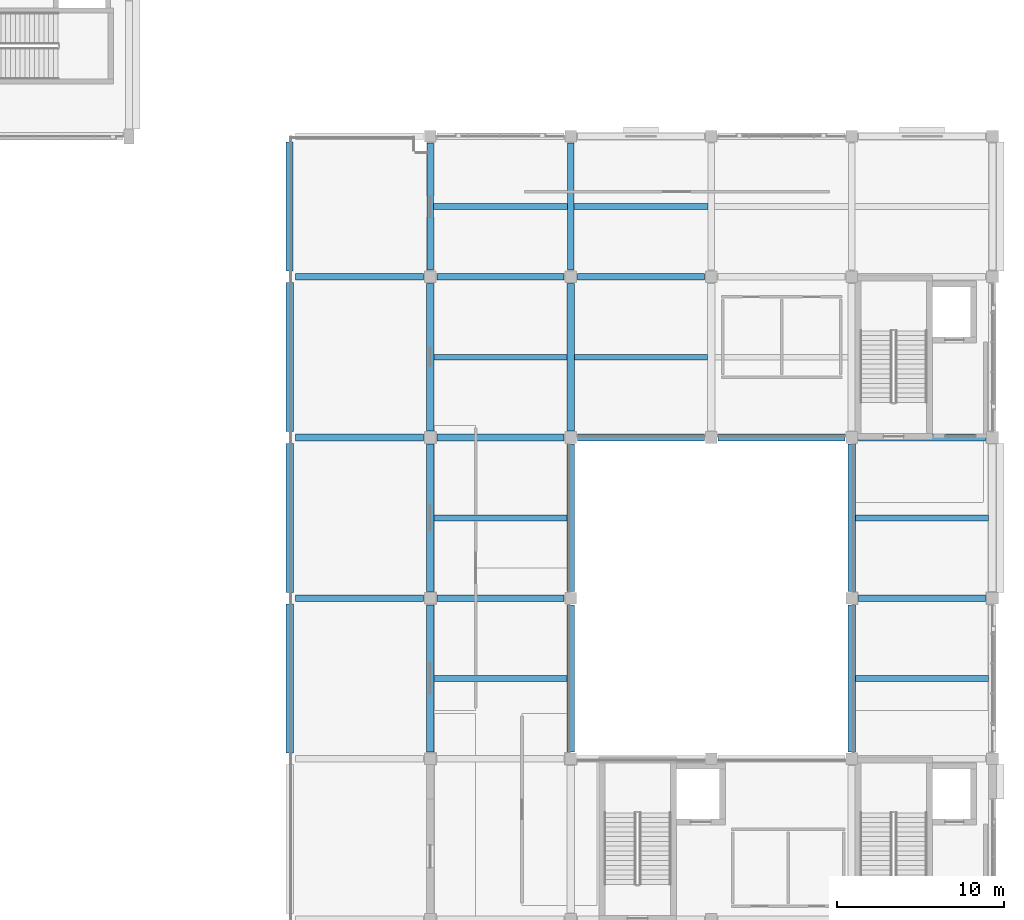
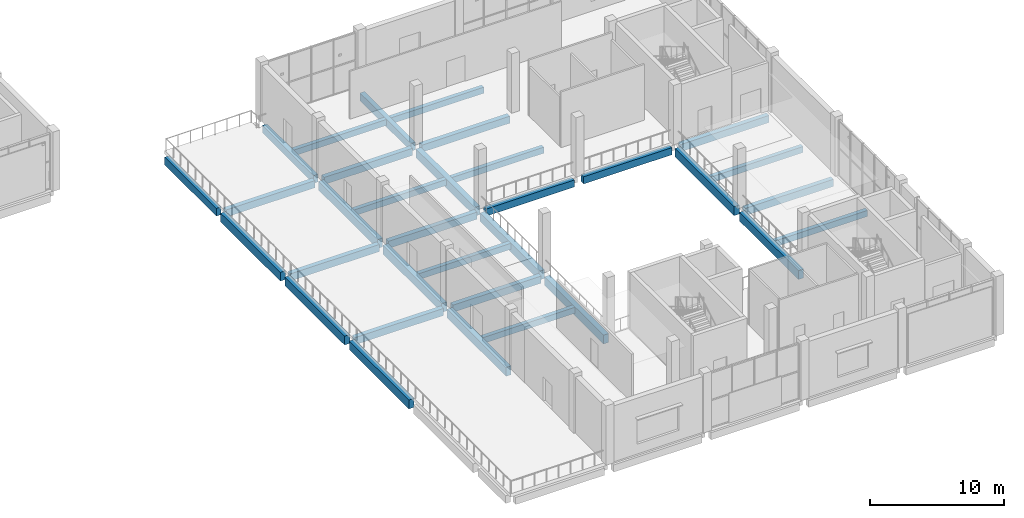
# One storey, part 38 of 83: 33 beams.
"""IFC4 building model written with IfcOpenShell, lengths in metres."""

from ifc_helpers import new_model, si_unit, direction, frame, origin, origin_2d, place, context, subcontext, project, spatial, rectangle, extrude, material, material_profile, profile_set, type_object, element, save


model = new_model("IFC4")

# Units and contexts
model_context = context("Model", 3, precision=1e-05, world=origin(), true_north=direction((0.0, 1.0)))
body_context = subcontext(model_context, "Body", "Model", "MODEL_VIEW")
ifc_project = project(units=[si_unit("LENGTHUNIT", "METRE"), si_unit("AREAUNIT", "SQUARE_METRE"), si_unit("VOLUMEUNIT", "CUBIC_METRE"), si_unit("PLANEANGLEUNIT", "RADIAN"), si_unit("MASSUNIT", "GRAM", prefix="KILO")], contexts=[model_context])

# Site, building, storey
site_placement = place(None, origin())
site = spatial("IfcSite", under=ifc_project, at=site_placement, CompositionType="ELEMENT")
building_placement = place(site_placement, origin())
building = spatial("IfcBuilding", under=site, at=building_placement, Name="Shalvenor Court Art Gallery", CompositionType="ELEMENT")
storey_placement = place(building_placement, frame((0.0, 0.0, 6.0)))
storey = spatial("IfcBuildingStorey", under=building, at=storey_placement, Name="L01", CompositionType="ELEMENT", Elevation=6.0)

# Beams
ifc_material_1 = material(Name="Concrete C40/50", Category="concrete")
ifc_material_profile_1 = material_profile(ifc_material_1, rectangle(XDim=0.449951171875, YDim=0.800048828125, at=origin_2d()), Name="RC 450x800")
ifc_profile_set_1 = profile_set([ifc_material_profile_1], Name="Concrete C40/50")
beam_type_1 = type_object("IfcBeamType", Name="B-03", PredefinedType="BEAM", material=ifc_profile_set_1)
beam_1_placement = place(storey_placement, frame((134.39990234375, 60.35009765625, -0.719970703125), z_axis=(0.0, 1.0, 0.0), x_axis=(-1.0, 0.0, 0.0)))
element("IfcBeam", 1, at=beam_1_placement, inside=storey, type_object=beam_type_1, Name="L01 Girder BM-L01-B-03-0456", PredefinedType="BEAM", context=body_context, shape_type="SweptSolid", body=[
    extrude(rectangle(XDim=0.449951171875, YDim=0.800048828125, at=origin_2d()), origin(), (0.0, 0.0, 1.0), 8.89990234375),
])
beam_2_placement = place(storey_placement, frame((134.39990234375, 69.949951171875, -0.719970703125), z_axis=(0.0, 1.0, 0.0), x_axis=(-1.0, 0.0, 0.0)))
element("IfcBeam", 2, at=beam_2_placement, inside=storey, type_object=beam_type_1, Name="L01 Girder BM-L01-B-03-0457", PredefinedType="BEAM", context=body_context, shape_type="SweptSolid", body=[
    extrude(rectangle(XDim=0.449951171875, YDim=0.800048828125, at=origin_2d()), origin(), (0.0, 0.0, 1.0), 8.900146484375),
])
beam_3_placement = place(storey_placement, frame((134.39990234375, 79.550048828125, -0.719970703125), z_axis=(0.0, 1.0, 0.0), x_axis=(-1.0, 0.0, 0.0)))
element("IfcBeam", 3, at=beam_3_placement, inside=storey, type_object=beam_type_1, Name="L01 Girder BM-L01-B-03-0458", PredefinedType="BEAM", context=body_context, shape_type="SweptSolid", body=[
    extrude(rectangle(XDim=0.449951171875, YDim=0.800048828125, at=origin_2d()), origin(), (0.0, 0.0, 1.0), 8.89990234375),
])
for number, where, z_axis, x_axis, name in (
    (4, (142.800048828125, 60.39990234375, -0.719970703125), (0.0, 1.0, 0.0), (-1.0, 0.0, 0.0), "L01 Girder BM-L01-B-03-0462"),
    (5, (142.800048828125, 70.0, -0.719970703125), (0.0, 1.0, 0.0), (-1.0, 0.0, 0.0), "L01 Girder BM-L01-B-03-0463"),
):
    element("IfcBeam", number, at=place(storey_placement, frame(where, z_axis=z_axis, x_axis=x_axis)), inside=storey, type_object=beam_type_1, Name=name, PredefinedType="BEAM", context=body_context, shape_type="SweptSolid", body=[
        extrude(rectangle(XDim=0.449951171875, YDim=0.800048828125, at=origin_2d()), origin(), (0.0, 0.0, 1.0), 8.800048828125),
    ])
beam_4_placement = place(storey_placement, frame((142.800048828125, 79.60009765625, -0.719970703125), z_axis=(0.0, 1.0, 0.0), x_axis=(-1.0, 0.0, 0.0)))
element("IfcBeam", 6, at=beam_4_placement, inside=storey, type_object=beam_type_1, Name="L01 Girder BM-L01-B-03-0464", PredefinedType="BEAM", context=body_context, shape_type="SweptSolid", body=[
    extrude(rectangle(XDim=0.449951171875, YDim=0.800048828125, at=origin_2d()), origin(), (0.0, 0.0, 1.0), 8.7998046875),
])
for number, where, z_axis, x_axis, name in (
    (7, (151.199951171875, 60.39990234375, -0.719970703125), (0.0, 1.0, 0.0), (-1.0, 0.0, 0.0), "L01 Girder BM-L01-B-03-0468"),
    (8, (151.199951171875, 70.0, -0.719970703125), (0.0, 1.0, 0.0), (-1.0, 0.0, 0.0), "L01 Girder BM-L01-B-03-0469"),
):
    element("IfcBeam", number, at=place(storey_placement, frame(where, z_axis=z_axis, x_axis=x_axis)), inside=storey, type_object=beam_type_1, Name=name, PredefinedType="BEAM", context=body_context, shape_type="SweptSolid", body=[
        extrude(rectangle(XDim=0.449951171875, YDim=0.800048828125, at=origin_2d()), origin(), (0.0, 0.0, 1.0), 8.800048828125),
    ])
beam_5_placement = place(storey_placement, frame((151.199951171875, 79.60009765625, -0.719970703125), z_axis=(0.0, 1.0, 0.0), x_axis=(-1.0, 0.0, 0.0)))
element("IfcBeam", 9, at=beam_5_placement, inside=storey, type_object=beam_type_1, Name="L01 Girder BM-L01-B-03-0470", PredefinedType="BEAM", context=body_context, shape_type="SweptSolid", body=[
    extrude(rectangle(XDim=0.449951171875, YDim=0.800048828125, at=origin_2d()), origin(), (0.0, 0.0, 1.0), 8.7998046875),
])
for number, where, z_axis, x_axis, name in (
    (10, (168.0, 60.39990234375, -0.719970703125), (0.0, 1.0, 0.0), (-1.0, 0.0, 0.0), "L01 Girder BM-L01-B-03-0477"),
    (11, (168.0, 70.0, -0.719970703125), (0.0, 1.0, 0.0), (-1.0, 0.0, 0.0), "L01 Girder BM-L01-B-03-0478"),
):
    element("IfcBeam", number, at=place(storey_placement, frame(where, z_axis=z_axis, x_axis=x_axis)), inside=storey, type_object=beam_type_1, Name=name, PredefinedType="BEAM", context=body_context, shape_type="SweptSolid", body=[
        extrude(rectangle(XDim=0.449951171875, YDim=0.800048828125, at=origin_2d()), origin(), (0.0, 0.0, 1.0), 8.800048828125),
    ])
ifc_material_2 = material(Name="Concrete C40/50", Category="concrete")
ifc_material_profile_2 = material_profile(ifc_material_2, rectangle(XDim=0.39990234375, YDim=0.699951171875, at=origin_2d()), Name="RC 400x700")
ifc_profile_set_2 = profile_set([ifc_material_profile_2], Name="Concrete C40/50")
beam_type_2 = type_object("IfcBeamType", Name="B-05", PredefinedType="BEAM", material=ifc_profile_set_2)
beam_6_placement = place(storey_placement, frame((134.39990234375, 89.14990234375, -0.669921875), z_axis=(0.0, 1.0, 0.0), x_axis=(-1.0, 0.0, 0.0)))
element("IfcBeam", 12, at=beam_6_placement, inside=storey, type_object=beam_type_2, Name="L01 Girder BM-L01-B-05-0459", PredefinedType="BEAM", context=body_context, shape_type="SweptSolid", body=[
    extrude(rectangle(XDim=0.39990234375, YDim=0.699951171875, at=origin_2d()), origin(), (0.0, 0.0, 1.0), 7.7001953125),
])
for number, where, z_axis, x_axis, name in (
    (13, (142.800048828125, 89.199951171875, -0.669921875), (0.0, 1.0, 0.0), (-1.0, 0.0, 0.0), "L01 Girder BM-L01-B-05-0465"),
    (14, (151.199951171875, 89.199951171875, -0.669921875), (0.0, 1.0, 0.0), (-1.0, 0.0, 0.0), "L01 Girder BM-L01-B-05-0471"),
):
    element("IfcBeam", number, at=place(storey_placement, frame(where, z_axis=z_axis, x_axis=x_axis)), inside=storey, type_object=beam_type_2, Name=name, PredefinedType="BEAM", context=body_context, shape_type="SweptSolid", body=[
        extrude(rectangle(XDim=0.39990234375, YDim=0.699951171875, at=origin_2d()), origin(), (0.0, 0.0, 1.0), 7.60009765625),
    ])
ifc_material_3 = material(Name="Concrete C40/50", Category="concrete")
ifc_material_profile_3 = material_profile(ifc_material_3, rectangle(XDim=0.39990234375, YDim=0.64990234375, at=origin_2d()), Name="RC 400x650")
ifc_profile_set_3 = profile_set([ifc_material_profile_3], Name="Concrete C40/50")
beam_type_3 = type_object("IfcBeamType", Name="B-06", PredefinedType="BEAM", material=ifc_profile_set_3)
beam_7_placement = place(storey_placement, frame((134.75, 69.60009765625, -0.64501953125), z_axis=(1.0, 0.0, 0.0), x_axis=(0.0, 1.0, 0.0)))
element("IfcBeam", 15, at=beam_7_placement, inside=storey, type_object=beam_type_3, Name="L01 Girder BM-L01-B-06-0560", PredefinedType="BEAM", context=body_context, shape_type="SweptSolid", body=[
    extrude(rectangle(XDim=0.39990234375, YDim=0.64990234375, at=origin_2d()), origin(), (0.0, 0.0, 1.0), 7.64990234375),
])
for number, where, z_axis, x_axis, name in (
    (16, (143.199951171875, 69.60009765625, -0.64501953125), (1.0, 0.0, 0.0), (0.0, 1.0, 0.0), "L01 Girder BM-L01-B-06-0561"),
    (17, (168.39990234375, 69.60009765625, -0.64501953125), (1.0, 0.0, 0.0), (0.0, 1.0, 0.0), "L01 Girder BM-L01-B-06-0562"),
):
    element("IfcBeam", number, at=place(storey_placement, frame(where, z_axis=z_axis, x_axis=x_axis)), inside=storey, type_object=beam_type_3, Name=name, PredefinedType="BEAM", context=body_context, shape_type="SweptSolid", body=[
        extrude(rectangle(XDim=0.39990234375, YDim=0.64990234375, at=origin_2d()), origin(), (0.0, 0.0, 1.0), 7.60009765625),
    ])
beam_8_placement = place(storey_placement, frame((134.75, 79.199951171875, -0.64501953125), z_axis=(1.0, 0.0, 0.0), x_axis=(0.0, 1.0, 0.0)))
element("IfcBeam", 18, at=beam_8_placement, inside=storey, type_object=beam_type_3, Name="L01 Girder BM-L01-B-06-0567", PredefinedType="BEAM", context=body_context, shape_type="SweptSolid", body=[
    extrude(rectangle(XDim=0.39990234375, YDim=0.64990234375, at=origin_2d()), origin(), (0.0, 0.0, 1.0), 7.64990234375),
])
beam_9_placement = place(storey_placement, frame((143.199951171875, 79.199951171875, -0.64501953125), z_axis=(1.0, 0.0, 0.0), x_axis=(0.0, 1.0, 0.0)))
element("IfcBeam", 19, at=beam_9_placement, inside=storey, type_object=beam_type_3, Name="L01 Girder BM-L01-B-06-0568", PredefinedType="BEAM", context=body_context, shape_type="SweptSolid", body=[
    extrude(rectangle(XDim=0.39990234375, YDim=0.64990234375, at=origin_2d()), origin(), (0.0, 0.0, 1.0), 7.60009765625),
])
beam_10_placement = place(storey_placement, frame((151.60009765625, 79.199951171875, -0.64501953125), z_axis=(1.0, 0.0, 0.0), x_axis=(0.0, 1.0, 0.0)))
element("IfcBeam", 20, at=beam_10_placement, inside=storey, type_object=beam_type_3, Name="L01 Girder BM-L01-B-06-0569", PredefinedType="BEAM", context=body_context, shape_type="SweptSolid", body=[
    extrude(rectangle(XDim=0.39990234375, YDim=0.64990234375, at=origin_2d()), origin(), (0.0, 0.0, 1.0), 7.599853515625),
])
for number, where, z_axis, x_axis, name in (
    (21, (160.0, 79.199951171875, -0.64501953125), (1.0, 0.0, 0.0), (0.0, 1.0, 0.0), "L01 Girder BM-L01-B-06-0570"),
    (22, (168.39990234375, 79.199951171875, -0.64501953125), (1.0, 0.0, 0.0), (0.0, 1.0, 0.0), "L01 Girder BM-L01-B-06-0571"),
):
    element("IfcBeam", number, at=place(storey_placement, frame(where, z_axis=z_axis, x_axis=x_axis)), inside=storey, type_object=beam_type_3, Name=name, PredefinedType="BEAM", context=body_context, shape_type="SweptSolid", body=[
        extrude(rectangle(XDim=0.39990234375, YDim=0.64990234375, at=origin_2d()), origin(), (0.0, 0.0, 1.0), 7.60009765625),
    ])
beam_11_placement = place(storey_placement, frame((134.75, 88.800048828125, -0.64501953125), z_axis=(1.0, 0.0, 0.0), x_axis=(0.0, 1.0, 0.0)))
element("IfcBeam", 23, at=beam_11_placement, inside=storey, type_object=beam_type_3, Name="L01 Girder BM-L01-B-06-0576", PredefinedType="BEAM", context=body_context, shape_type="SweptSolid", body=[
    extrude(rectangle(XDim=0.39990234375, YDim=0.64990234375, at=origin_2d()), origin(), (0.0, 0.0, 1.0), 7.64990234375),
])
beam_12_placement = place(storey_placement, frame((143.199951171875, 88.800048828125, -0.64501953125), z_axis=(1.0, 0.0, 0.0), x_axis=(0.0, 1.0, 0.0)))
element("IfcBeam", 24, at=beam_12_placement, inside=storey, type_object=beam_type_3, Name="L01 Girder BM-L01-B-06-0577", PredefinedType="BEAM", context=body_context, shape_type="SweptSolid", body=[
    extrude(rectangle(XDim=0.39990234375, YDim=0.64990234375, at=origin_2d()), origin(), (0.0, 0.0, 1.0), 7.60009765625),
])
beam_13_placement = place(storey_placement, frame((151.60009765625, 88.800048828125, -0.64501953125), z_axis=(1.0, 0.0, 0.0), x_axis=(0.0, 1.0, 0.0)))
element("IfcBeam", 25, at=beam_13_placement, inside=storey, type_object=beam_type_3, Name="L01 Girder BM-L01-B-06-0578", PredefinedType="BEAM", context=body_context, shape_type="SweptSolid", body=[
    extrude(rectangle(XDim=0.39990234375, YDim=0.64990234375, at=origin_2d()), origin(), (0.0, 0.0, 1.0), 7.599853515625),
])
ifc_material_4 = material(Name="Concrete C40/50", Category="concrete")
ifc_material_profile_4 = material_profile(ifc_material_4, rectangle(XDim=0.35009765625, YDim=0.550048828125, at=origin_2d()), Name="RC 350x550")
ifc_profile_set_4 = profile_set([ifc_material_profile_4], Name="Concrete C40/50")
beam_type_4 = type_object("IfcBeamType", Name="J-02", PredefinedType="JOIST", material=ifc_profile_set_4)
for number, where, z_axis, x_axis, name in (
    (26, (143.02490234375, 64.800048828125, -0.594970703125), (1.0, 0.0, 0.0), (0.0, 1.0, 0.0), "L01 Secondary Beam JST-L01-J-02-0673"),
    (27, (143.02490234375, 74.39990234375, -0.594970703125), (1.0, 0.0, 0.0), (0.0, 1.0, 0.0), "L01 Secondary Beam JST-L01-J-02-0674"),
    (28, (143.02490234375, 84.0, -0.594970703125), (1.0, 0.0, 0.0), (0.0, 1.0, 0.0), "L01 Secondary Beam JST-L01-J-02-0675"),
):
    element("IfcBeam", number, at=place(storey_placement, frame(where, z_axis=z_axis, x_axis=x_axis)), inside=storey, type_object=beam_type_4, Name=name, PredefinedType="JOIST", context=body_context, shape_type="SweptSolid", body=[
        extrude(rectangle(XDim=0.35009765625, YDim=0.550048828125, at=origin_2d()), origin(), (0.0, 0.0, 1.0), 7.9501953125),
    ])
beam_14_placement = place(storey_placement, frame((143.0, 93.0, -0.594970703125), z_axis=(1.0, 0.0, 0.0), x_axis=(0.0, 1.0, 0.0)))
element("IfcBeam", 29, at=beam_14_placement, inside=storey, type_object=beam_type_4, Name="L01 Secondary Beam JST-L01-J-02-0676", PredefinedType="JOIST", context=body_context, shape_type="SweptSolid", body=[
    extrude(rectangle(XDim=0.35009765625, YDim=0.550048828125, at=origin_2d()), origin(), (0.0, 0.0, 1.0), 8.0),
])
beam_15_placement = place(storey_placement, frame((151.425048828125, 84.0, -0.594970703125), z_axis=(1.0, 0.0, 0.0), x_axis=(0.0, 1.0, 0.0)))
element("IfcBeam", 30, at=beam_15_placement, inside=storey, type_object=beam_type_4, Name="L01 Secondary Beam JST-L01-J-02-0678", PredefinedType="JOIST", context=body_context, shape_type="SweptSolid", body=[
    extrude(rectangle(XDim=0.35009765625, YDim=0.550048828125, at=origin_2d()), origin(), (0.0, 0.0, 1.0), 7.949951171875),
])
beam_16_placement = place(storey_placement, frame((151.39990234375, 93.0, -0.594970703125), z_axis=(1.0, 0.0, 0.0), x_axis=(0.0, 1.0, 0.0)))
element("IfcBeam", 31, at=beam_16_placement, inside=storey, type_object=beam_type_4, Name="L01 Secondary Beam JST-L01-J-02-0679", PredefinedType="JOIST", context=body_context, shape_type="SweptSolid", body=[
    extrude(rectangle(XDim=0.35009765625, YDim=0.550048828125, at=origin_2d()), origin(), (0.0, 0.0, 1.0), 8.0),
])
for number, where, z_axis, x_axis, name in (
    (32, (168.22509765625, 64.800048828125, -0.594970703125), (1.0, 0.0, 0.0), (0.0, 1.0, 0.0), "L01 Secondary Beam JST-L01-J-02-0684"),
    (33, (168.22509765625, 74.39990234375, -0.594970703125), (1.0, 0.0, 0.0), (0.0, 1.0, 0.0), "L01 Secondary Beam JST-L01-J-02-0685"),
):
    element("IfcBeam", number, at=place(storey_placement, frame(where, z_axis=z_axis, x_axis=x_axis)), inside=storey, type_object=beam_type_4, Name=name, PredefinedType="JOIST", context=body_context, shape_type="SweptSolid", body=[
        extrude(rectangle(XDim=0.35009765625, YDim=0.550048828125, at=origin_2d()), origin(), (0.0, 0.0, 1.0), 7.949951171875),
    ])

save(model, "model.ifc")
